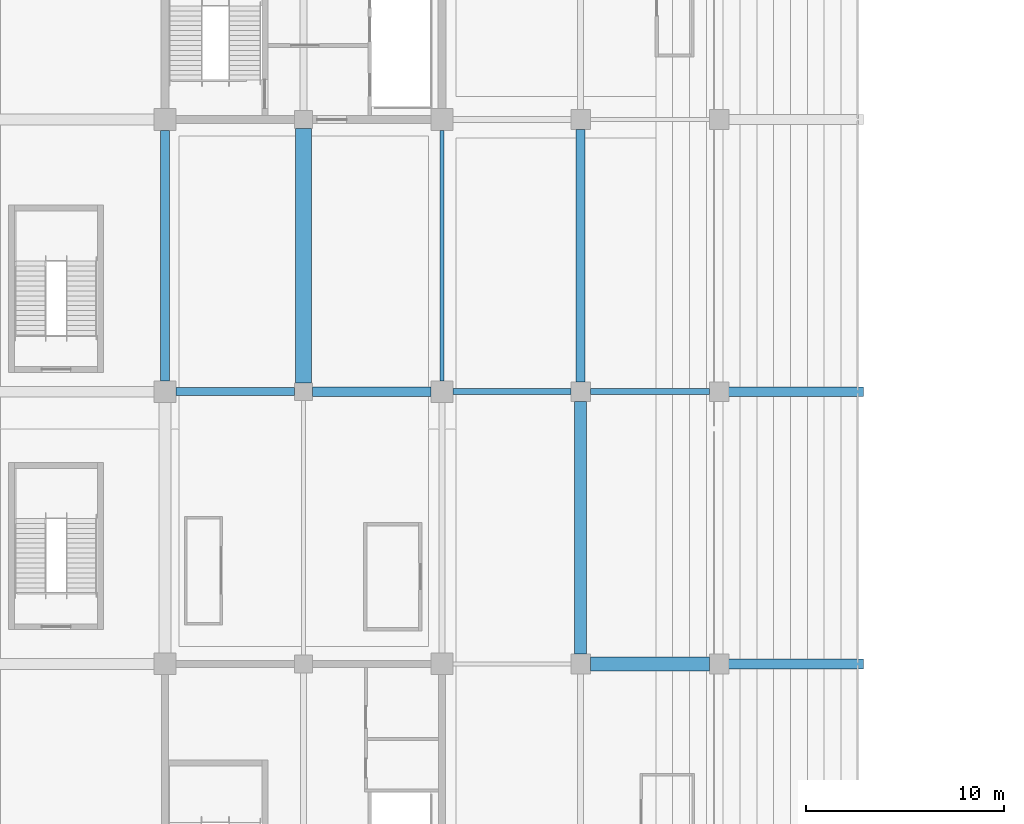
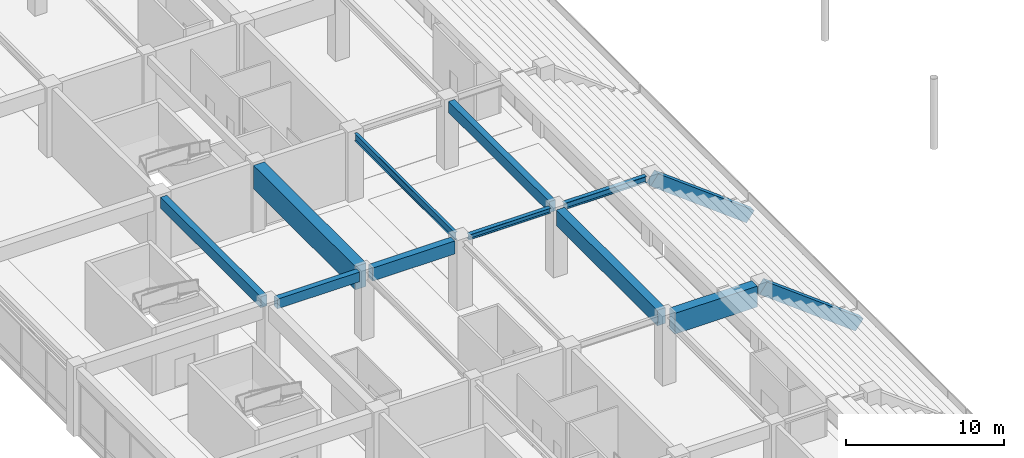
# One storey, part 42 of 117: 12 beams.
"""IFC4 building model written with IfcOpenShell, lengths in metres."""

from ifc_helpers import new_model, si_unit, direction, frame, origin, origin_2d, place, context, subcontext, project, spatial, rectangle, i_section, extrude, material, material_profile, profile_set, type_object, element, save


model = new_model("IFC4")

# Units and contexts
model_context = context("Model", 3, precision=1e-05, world=origin(), true_north=direction((0.0, 1.0)))
body_context = subcontext(model_context, "Body", "Model", "MODEL_VIEW")
ifc_project = project(units=[si_unit("LENGTHUNIT", "METRE"), si_unit("AREAUNIT", "SQUARE_METRE"), si_unit("VOLUMEUNIT", "CUBIC_METRE"), si_unit("PLANEANGLEUNIT", "RADIAN"), si_unit("MASSUNIT", "GRAM", prefix="KILO")], contexts=[model_context])

# Site, building, storey
site_placement = place(None, origin())
site = spatial("IfcSite", under=ifc_project, at=site_placement, CompositionType="ELEMENT")
building_placement = place(site_placement, origin())
building = spatial("IfcBuilding", under=site, at=building_placement, Name="Linyun Crest Stadium", CompositionType="ELEMENT")
storey_placement = place(building_placement, frame((0.0, 0.0, 6.0)))
storey = spatial("IfcBuildingStorey", under=building, at=storey_placement, Name="L02", CompositionType="ELEMENT", Elevation=6.0)

# Beams
ifc_material_1 = material(Name="Concrete C40", Category="concrete")
ifc_material_profile_1 = material_profile(ifc_material_1, rectangle(XDim=0.39990234375, YDim=0.75, at=origin_2d()), Name="RCB 750x400")
ifc_profile_set_1 = profile_set([ifc_material_profile_1], Name="Concrete C40")
beam_type_1 = type_object("IfcBeamType", Name="B03", PredefinedType="BEAM", material=ifc_profile_set_1)
beam_1_placement = place(storey_placement, frame((-83.449951171875, -11.625, 4.824951171875), z_axis=(1.0, 0.0, 0.0), x_axis=(0.0, 1.0, 0.0)))
element("IfcBeam", 1, at=beam_1_placement, inside=storey, type_object=beam_type_1, Name="Frame beam B03 L02 180", PredefinedType="BEAM", context=body_context, shape_type="SweptSolid", body=[
    extrude(rectangle(XDim=0.39990234375, YDim=0.75, at=origin_2d()), origin(), (0.0, 0.0, 1.0), 6.0),
])
ifc_material_2 = material(Name="Concrete C40", Category="concrete")
ifc_material_profile_2 = material_profile(ifc_material_2, rectangle(XDim=0.449951171875, YDim=0.85009765625, at=origin_2d()), Name="RCB 850x450")
ifc_profile_set_2 = profile_set([ifc_material_profile_2], Name="Concrete C40")
beam_type_2 = type_object("IfcBeamType", Name="B04", PredefinedType="BEAM", material=ifc_profile_set_2)
beam_2_placement = place(storey_placement, frame((-84.0, -11.074951171875, 4.77490234375), z_axis=(0.0, 1.0, 0.0), x_axis=(-1.0, 0.0, 0.0)))
element("IfcBeam", 2, at=beam_2_placement, inside=storey, type_object=beam_type_2, Name="Frame beam B04 L02 207", PredefinedType="BEAM", context=body_context, shape_type="SweptSolid", body=[
    extrude(rectangle(XDim=0.449951171875, YDim=0.85009765625, at=origin_2d()), origin(), (0.0, 0.0, 1.0), 12.64990234375),
])
beam_3_placement = place(storey_placement, frame((-63.0, -11.125, 4.77490234375), z_axis=(0.0, 1.0, 0.0), x_axis=(-1.0, 0.0, 0.0)))
element("IfcBeam", 3, at=beam_3_placement, inside=storey, type_object=beam_type_2, Name="Frame beam B04 L02 223", PredefinedType="BEAM", context=body_context, shape_type="SweptSolid", body=[
    extrude(rectangle(XDim=0.449951171875, YDim=0.85009765625, at=origin_2d()), origin(), (0.0, 0.0, 1.0), 12.75),
])
ifc_material_3 = material(Name="Concrete C40", Category="concrete")
ifc_material_profile_3 = material_profile(ifc_material_3, rectangle(XDim=0.5, YDim=1.0, at=origin_2d()), Name="RCB 1000x500")
ifc_profile_set_3 = profile_set([ifc_material_profile_3], Name="Concrete C40")
beam_type_3 = type_object("IfcBeamType", Name="B05", PredefinedType="BEAM", material=ifc_profile_set_3)
beam_4_placement = place(storey_placement, frame((-76.550048828125, -11.625, 4.699951171875), z_axis=(1.0, 0.0, 0.0), x_axis=(0.0, 1.0, 0.0)))
element("IfcBeam", 4, at=beam_4_placement, inside=storey, type_object=beam_type_3, Name="Frame beam B05 L02 181", PredefinedType="BEAM", context=body_context, shape_type="SweptSolid", body=[
    extrude(rectangle(XDim=0.5, YDim=1.0, at=origin_2d()), origin(), (0.0, 0.0, 1.0), 6.0),
])
ifc_material_4 = material(Name="Steel Q355C", Category="steel")
ifc_material_profile_4 = material_profile(ifc_material_4, i_section(OverallWidth=0.300048828125, OverallDepth=0.389892578125, WebThickness=0.010009765625, FlangeThickness=0.01611328125, at=origin_2d()), Name="HM 390x300")
ifc_profile_set_4 = profile_set([ifc_material_profile_4], Name="Steel Q355C")
beam_type_4 = type_object("IfcBeamType", Name="B06", PredefinedType="BEAM", material=ifc_profile_set_4)
beam_5_placement = place(storey_placement, frame((-69.449951171875, -11.625, 5.0048828125), z_axis=(1.0, 0.0, 0.0), x_axis=(0.0, 1.0, 0.0)))
element("IfcBeam", 5, at=beam_5_placement, inside=storey, type_object=beam_type_4, Name="Frame beam B06 L02 182", PredefinedType="BEAM", context=body_context, shape_type="SweptSolid", body=[
    extrude(i_section(OverallWidth=0.300048828125, OverallDepth=0.389892578125, WebThickness=0.010009765625, FlangeThickness=0.01611328125, at=origin_2d()), origin(), (0.0, 0.0, 1.0), 5.949951171875),
])
ifc_material_5 = material(Name="Steel Q355C", Category="steel")
ifc_material_profile_5 = material_profile(ifc_material_5, i_section(OverallWidth=0.300048828125, OverallDepth=0.488037109375, WebThickness=0.010986328125, FlangeThickness=0.01806640625, at=origin_2d()), Name="HM 488x300")
ifc_profile_set_5 = profile_set([ifc_material_profile_5], Name="Steel Q355C")
beam_type_5 = type_object("IfcBeamType", Name="B08", PredefinedType="BEAM", material=ifc_profile_set_5)
beam_6_placement = place(storey_placement, frame((-62.5, -11.625, 4.9560546875), z_axis=(1.0, 0.0, 0.0), x_axis=(0.0, 1.0, 0.0)))
element("IfcBeam", 6, at=beam_6_placement, inside=storey, type_object=beam_type_5, Name="Frame beam B08 L02 183", PredefinedType="BEAM", context=body_context, shape_type="SweptSolid", body=[
    extrude(i_section(OverallWidth=0.300048828125, OverallDepth=0.488037109375, WebThickness=0.010986328125, FlangeThickness=0.01806640625, at=origin_2d()), origin(), (0.0, 0.0, 1.0), 6.0),
])
ifc_material_6 = material(Name="Steel Q355C", Category="steel")
ifc_material_profile_6 = material_profile(ifc_material_6, i_section(OverallWidth=0.199951171875, OverallDepth=0.60009765625, WebThickness=0.010986328125, FlangeThickness=0.01708984375, at=origin_2d()), Name="HN 600x200")
ifc_profile_set_6 = profile_set([ifc_material_profile_6], Name="Steel Q355C")
beam_type_6 = type_object("IfcBeamType", Name="B11", PredefinedType="BEAM", material=ifc_profile_set_6)
beam_7_placement = place(storey_placement, frame((-70.0, -11.074951171875, 4.89990234375), z_axis=(0.0, 1.0, 0.0), x_axis=(-1.0, 0.0, 0.0)))
element("IfcBeam", 7, at=beam_7_placement, inside=storey, type_object=beam_type_6, Name="Frame beam B11 L02 218", PredefinedType="BEAM", context=body_context, shape_type="SweptSolid", body=[
    extrude(i_section(OverallWidth=0.199951171875, OverallDepth=0.60009765625, WebThickness=0.010986328125, FlangeThickness=0.01708984375, at=origin_2d()), origin(), (0.0, 0.0, 1.0), 12.64990234375),
])
ifc_material_7 = material(Name="Concrete C50", Category="concrete")
ifc_material_profile_7 = material_profile(ifc_material_7, rectangle(XDim=0.699951171875, YDim=1.60009765625, at=origin_2d()), Name="RCB 1600x700")
ifc_profile_set_7 = profile_set([ifc_material_profile_7], Name="Concrete C50")
beam_type_7 = type_object("IfcBeamType", Name="B13", PredefinedType="BEAM", material=ifc_profile_set_7)
beam_8_placement = place(storey_placement, frame((-62.5, -25.375, 4.39990234375), z_axis=(1.0, 0.0, 0.0), x_axis=(0.0, 1.0, 0.0)))
element("IfcBeam", 8, at=beam_8_placement, inside=storey, type_object=beam_type_7, Name="Frame beam B13 L02 178", PredefinedType="BEAM", context=body_context, shape_type="SweptSolid", body=[
    extrude(rectangle(XDim=0.699951171875, YDim=1.60009765625, at=origin_2d()), origin(), (0.0, 0.0, 1.0), 6.0),
])
ifc_material_8 = material(Name="Concrete C50", Category="concrete")
ifc_material_profile_8 = material_profile(ifc_material_8, rectangle(XDim=0.800048828125, YDim=1.800048828125, at=origin_2d()), Name="RCB 1800x800")
ifc_profile_set_8 = profile_set([ifc_material_profile_8], Name="Concrete C50")
beam_type_8 = type_object("IfcBeamType", Name="B14", PredefinedType="BEAM", material=ifc_profile_set_8)
beam_9_placement = place(storey_placement, frame((-77.0, -11.175048828125, 4.300048828125), z_axis=(0.0, 1.0, 0.0), x_axis=(-1.0, 0.0, 0.0)))
element("IfcBeam", 9, at=beam_9_placement, inside=storey, type_object=beam_type_8, Name="Frame beam B14 L02 212", PredefinedType="BEAM", context=body_context, shape_type="SweptSolid", body=[
    extrude(rectangle(XDim=0.800048828125, YDim=1.800048828125, at=origin_2d()), origin(), (0.0, 0.0, 1.0), 12.85009765625),
])
ifc_material_9 = material(Name="Precast concrete C50", Category="concrete")
ifc_material_profile_9 = material_profile(ifc_material_9, rectangle(XDim=0.5, YDim=0.949951171875, at=origin_2d()), Name="PCR 950x500")
ifc_profile_set_9 = profile_set([ifc_material_profile_9], Name="Precast concrete C50")
beam_type_9 = type_object("IfcBeamType", Name="RB01", PredefinedType="USERDEFINED", material=ifc_profile_set_9)
for number, where, z_axis, x_axis, name in (
    (10, (-49.0, -25.375, -0.47998046875), (-0.798353067066, 0.0, 0.602189654765), (0.0, -1.0, 0.0), "Precast raker beam RB01 V1 18"),
    (11, (-49.0, -11.625, -0.47998046875), (-0.798353067066, 0.0, 0.602189654765), (0.0, -1.0, 0.0), "Precast raker beam RB01 V1 26"),
):
    element("IfcBeam", number, at=place(storey_placement, frame(where, z_axis=z_axis, x_axis=x_axis)), inside=storey, type_object=beam_type_9, Name=name, ObjectType="RAKER", PredefinedType="USERDEFINED", context=body_context, shape_type="SweptSolid", body=[
        extrude(rectangle(XDim=0.5, YDim=0.949951171875, at=origin_2d()), origin(), (0.0, 0.0, 1.0), 8.76806640625),
    ])
ifc_material_10 = material(Name="Concrete C50", Category="concrete")
ifc_material_profile_10 = material_profile(ifc_material_10, rectangle(XDim=0.60009765625, YDim=1.199951171875, at=origin_2d()), Name="RCB 1200x600")
ifc_profile_set_10 = profile_set([ifc_material_profile_10], Name="Concrete C50")
beam_type_10 = type_object("IfcBeamType", Name="TB02", PredefinedType="USERDEFINED", material=ifc_profile_set_10)
beam_10_placement = place(storey_placement, frame((-63.0, -24.875, 4.60009765625), z_axis=(0.0, 1.0, 0.0), x_axis=(-1.0, 0.0, 0.0)))
element("IfcBeam", 12, at=beam_10_placement, inside=storey, type_object=beam_type_10, Name="Frame beam TB02 L02 222", ObjectType="GIRDER", PredefinedType="USERDEFINED", context=body_context, shape_type="SweptSolid", body=[
    extrude(rectangle(XDim=0.60009765625, YDim=1.199951171875, at=origin_2d()), origin(), (0.0, 0.0, 1.0), 12.75),
])

save(model, "model.ifc")
